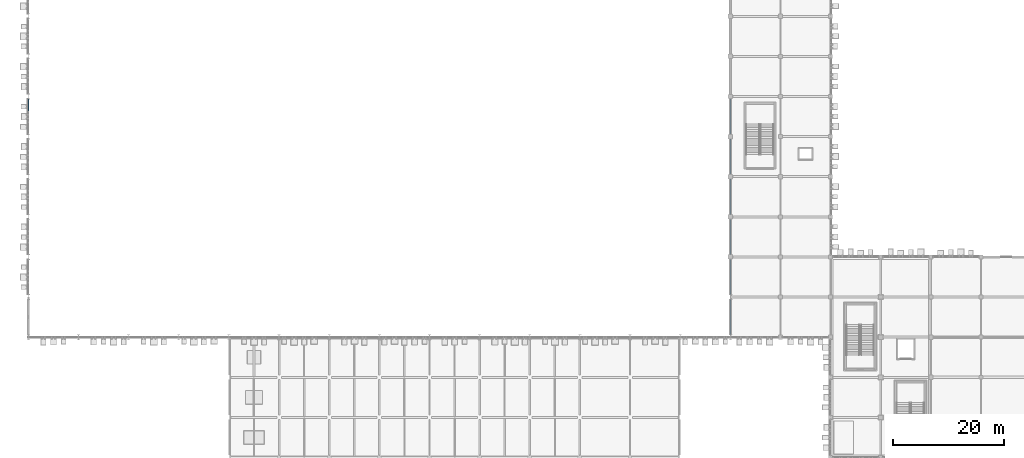
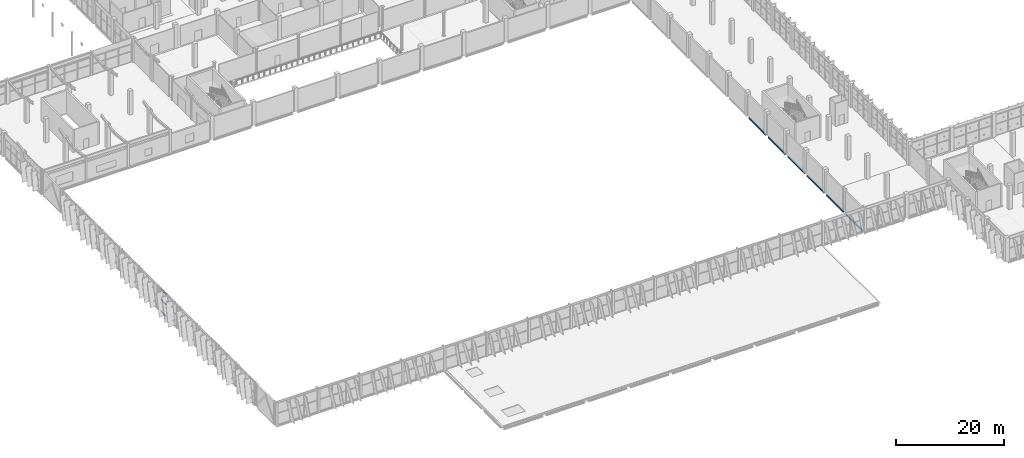
# One storey, part 31 of 189: 6 beams, 3 members, 1 element without a shape of its own.
"""IFC4 building model written with IfcOpenShell, lengths in metres."""

from ifc_helpers import new_model, si_unit, direction, frame, origin, origin_2d, place, context, subcontext, project, spatial, hollow_rectangle, extrude, material, layer, layer_set, material_profile, profile_set, type_object, element, aggregate, save


model = new_model("IFC4")

# Units and contexts
model_context = context("Model", 3, precision=1e-05, world=origin(), true_north=direction((0.0, 1.0)))
body_context = subcontext(model_context, "Body", "Model", "MODEL_VIEW")
ifc_project = project(units=[si_unit("LENGTHUNIT", "METRE"), si_unit("AREAUNIT", "SQUARE_METRE"), si_unit("VOLUMEUNIT", "CUBIC_METRE"), si_unit("PLANEANGLEUNIT", "RADIAN"), si_unit("MASSUNIT", "GRAM", prefix="KILO")], contexts=[model_context])

# Site, building, storey
site_placement = place(None, origin())
site = spatial("IfcSite", under=ifc_project, at=site_placement, CompositionType="ELEMENT")
building_placement = place(site_placement, origin())
building = spatial("IfcBuilding", under=site, at=building_placement, Name="Celestram Park Convention Centre", CompositionType="ELEMENT")
storey_placement = place(building_placement, frame((0.0, 0.0, 5.39990234375)))
storey = spatial("IfcBuildingStorey", under=building, at=storey_placement, Name="L01", CompositionType="ELEMENT", Elevation=5.39990234375)

# Curtain wall, members
ifc_material_1 = material(Name="Anodised Aluminium Alloy 6063-T6", Category="aluminium")
ifc_layer = layer(ifc_material_1, 0.179931640625)
ifc_layer_set = layer_set([ifc_layer], Name="Anodised Aluminium Alloy 6063-T6")
curtain_wall_type = type_object("IfcCurtainWallType", Name="ARC-CW-627X510", PredefinedType="NOTDEFINED", material=ifc_layer_set)
curtain_wall_placement = place(storey_placement, origin())
curtain_wall = element("IfcCurtainWall", 1, at=curtain_wall_placement, inside=storey, type_object=curtain_wall_type, Name="Unitised curtain wall CU-L01-117", PredefinedType="NOTDEFINED")
ifc_material_profile_1 = material_profile(ifc_material_1, hollow_rectangle(XDim=0.1201171875, YDim=0.06005859375, WallThickness=0.0029296875, at=origin_2d()), Name="ALU120X60X3")
ifc_profile_set_1 = profile_set([ifc_material_profile_1], Name="Anodised Aluminium Alloy 6063-T6")
member_type = type_object("IfcMemberType", Name="ARC-CWT-120", PredefinedType="USERDEFINED", material=ifc_profile_set_1)
member_1_placement = place(storey_placement, frame((0.0, 62.27783203125, 0.030029296875), z_axis=(0.0, 1.0, 0.0), x_axis=(-1.0, 0.0, 0.0)))
member_1 = element("IfcMember", 2, at=member_1_placement, type_object=member_type, Name="CW-62X51 transom 3.1", ObjectType="TRANSOM", PredefinedType="USERDEFINED", context=body_context, shape_type="SweptSolid", body=[
    extrude(hollow_rectangle(XDim=0.1201171875, YDim=0.06005859375, WallThickness=0.0029296875, at=origin_2d()), origin(), (0.0, 0.0, 1.0), 1.9931640625),
])
member_2_placement = place(storey_placement, frame((0.0, 62.27783203125, 2.650146484375), z_axis=(0.0, 1.0, 0.0), x_axis=(-1.0, 0.0, 0.0)))
member_2 = element("IfcMember", 3, at=member_2_placement, type_object=member_type, Name="CW-62X51 transom 3.2", ObjectType="TRANSOM", PredefinedType="USERDEFINED", context=body_context, shape_type="SweptSolid", body=[
    extrude(hollow_rectangle(XDim=0.1201171875, YDim=0.06005859375, WallThickness=0.0029296875, at=origin_2d()), origin(), (0.0, 0.0, 1.0), 1.9931640625),
])
member_3_placement = place(storey_placement, frame((0.0, 62.27783203125, 5.070068359375), z_axis=(0.0, 1.0, 0.0), x_axis=(-1.0, 0.0, 0.0)))
member_3 = element("IfcMember", 4, at=member_3_placement, type_object=member_type, Name="CW-62X51 transom 3.3", ObjectType="TRANSOM", PredefinedType="USERDEFINED", context=body_context, shape_type="SweptSolid", body=[
    extrude(hollow_rectangle(XDim=0.1201171875, YDim=0.06005859375, WallThickness=0.0029296875, at=origin_2d()), origin(), (0.0, 0.0, 1.0), 1.9931640625),
])
aggregate(curtain_wall, [member_1, member_2, member_3])

# Beams
ifc_material_2 = material(Name="Steel ASTM A500 Grade C", Category="steel")
ifc_material_profile_2 = material_profile(ifc_material_2, hollow_rectangle(XDim=0.199951171875, YDim=0.300048828125, WallThickness=0.011962890625, at=origin_2d()), Name="HSS300X200X12")
ifc_profile_set_2 = profile_set([ifc_material_profile_2], Name="Steel ASTM A500 Grade C")
beam_type = type_object("IfcBeamType", Name="STR-SPN-HSS300X200", PredefinedType="SPANDREL", material=ifc_profile_set_2)
beam_1_placement = place(storey_placement, frame((126.0, 22.06396484375, -0.429931640625), z_axis=(0.0, 1.0, 0.0), x_axis=(-1.0, 0.0, 0.0)))
element("IfcBeam", 5, at=beam_1_placement, inside=storey, type_object=beam_type, Name="Primary Y-girder BG-L01-0249", PredefinedType="SPANDREL", context=body_context, shape_type="SweptSolid", body=[
    extrude(hollow_rectangle(XDim=0.199951171875, YDim=0.300048828125, WallThickness=0.011962890625, at=origin_2d()), origin(), (0.0, 0.0, 1.0), 6.27197265625),
])
beam_2_placement = place(storey_placement, frame((126.0, 29.263916015625, -0.429931640625), z_axis=(0.0, 1.0, 0.0), x_axis=(-1.0, 0.0, 0.0)))
element("IfcBeam", 6, at=beam_2_placement, inside=storey, type_object=beam_type, Name="Primary Y-girder BG-L01-0251", PredefinedType="SPANDREL", context=body_context, shape_type="SweptSolid", body=[
    extrude(hollow_rectangle(XDim=0.199951171875, YDim=0.300048828125, WallThickness=0.011962890625, at=origin_2d()), origin(), (0.0, 0.0, 1.0), 6.2880859375),
])
for number, where, z_axis, x_axis, name in (
    (7, (126.0, 36.447998046875, -0.429931640625), (0.0, 1.0, 0.0), (-1.0, 0.0, 0.0), "Primary Y-girder BG-L01-0253"),
    (8, (126.0, 43.64794921875, -0.429931640625), (0.0, 1.0, 0.0), (-1.0, 0.0, 0.0), "Primary Y-girder BG-L01-0255"),
):
    element("IfcBeam", number, at=place(storey_placement, frame(where, z_axis=z_axis, x_axis=x_axis)), inside=storey, type_object=beam_type, Name=name, PredefinedType="SPANDREL", context=body_context, shape_type="SweptSolid", body=[
        extrude(hollow_rectangle(XDim=0.199951171875, YDim=0.300048828125, WallThickness=0.011962890625, at=origin_2d()), origin(), (0.0, 0.0, 1.0), 6.303955078125),
    ])
beam_3_placement = place(storey_placement, frame((126.0, 50.847900390625, -0.429931640625), z_axis=(0.0, 1.0, 0.0), x_axis=(-1.0, 0.0, 0.0)))
element("IfcBeam", 9, at=beam_3_placement, inside=storey, type_object=beam_type, Name="Primary Y-girder BG-L01-0257", PredefinedType="SPANDREL", context=body_context, shape_type="SweptSolid", body=[
    extrude(hollow_rectangle(XDim=0.199951171875, YDim=0.300048828125, WallThickness=0.011962890625, at=origin_2d()), origin(), (0.0, 0.0, 1.0), 6.30419921875),
])
beam_4_placement = place(storey_placement, frame((126.0, 58.048095703125, -0.429931640625), z_axis=(0.0, 1.0, 0.0), x_axis=(-1.0, 0.0, 0.0)))
element("IfcBeam", 10, at=beam_4_placement, inside=storey, type_object=beam_type, Name="Primary Y-girder BG-L01-0258", PredefinedType="SPANDREL", context=body_context, shape_type="SweptSolid", body=[
    extrude(hollow_rectangle(XDim=0.199951171875, YDim=0.300048828125, WallThickness=0.011962890625, at=origin_2d()), origin(), (0.0, 0.0, 1.0), 6.303955078125),
])

save(model, "model.ifc")
